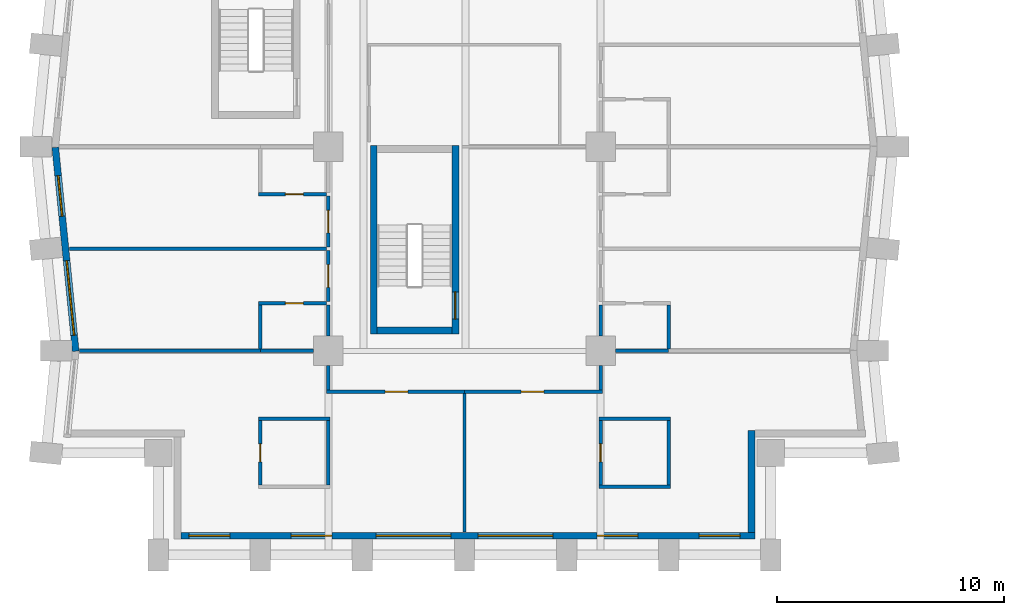
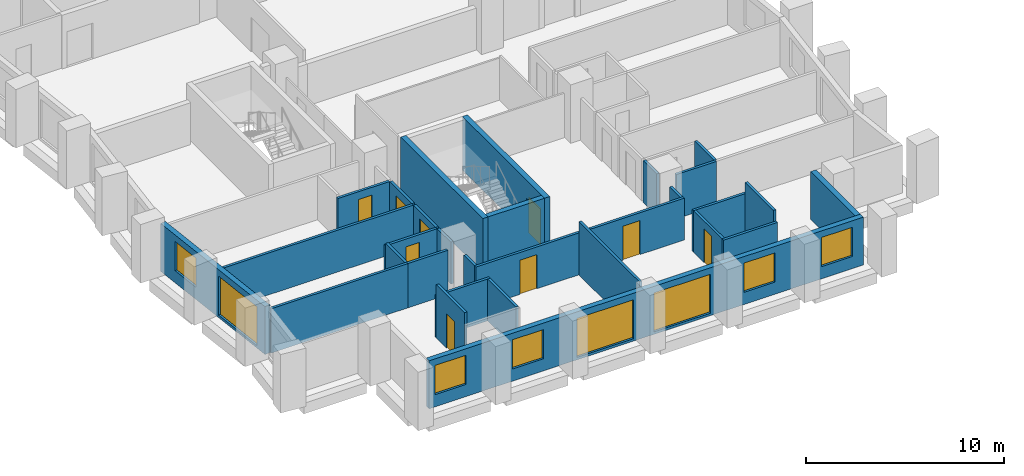
# One storey, part 3 of 13: 30 walls, 9 doors, 8 windows, 17 openings.
"""IFC4 building model written with IfcOpenShell, lengths in metres."""

from ifc_helpers import new_model, si_unit, direction, frame, frame_2d, origin, place, context, subcontext, project, spatial, rectangle, extrude, material, layer, layer_set, type_object, element, fill, save


model = new_model("IFC4")

# Units and contexts
model_context = context("Model", 3, precision=1e-05, world=origin(), true_north=direction((0.0, 1.0)))
body_context = subcontext(model_context, "Body", "Model", "MODEL_VIEW")
ifc_project = project(units=[si_unit("LENGTHUNIT", "METRE"), si_unit("AREAUNIT", "SQUARE_METRE"), si_unit("VOLUMEUNIT", "CUBIC_METRE"), si_unit("PLANEANGLEUNIT", "RADIAN"), si_unit("MASSUNIT", "GRAM", prefix="KILO")], contexts=[model_context])

# Site, building, storey
site_placement = place(None, origin())
site = spatial("IfcSite", under=ifc_project, at=site_placement, CompositionType="ELEMENT")
building_placement = place(site_placement, origin())
building = spatial("IfcBuilding", under=site, at=building_placement, Name="Brondeck Convention Tower", CompositionType="ELEMENT")
storey_placement = place(building_placement, frame((0.0, 0.0, 41.10009765625)))
storey = spatial("IfcBuildingStorey", under=building, at=storey_placement, Name="L07", CompositionType="ELEMENT", Elevation=41.10009765625)

# Wall, openings, windows
ifc_material_1 = material(Name="Precast concrete C50/60 bronze finish", Category="concrete")
ifc_layer_1 = layer(ifc_material_1, 0.070068359375, Name="Bronze precast facing")
ifc_material_2 = material(Name="Mineral wool")
ifc_layer_2 = layer(ifc_material_2, 0.159912109375, Name="Insulation")
ifc_material_3 = material(Name="Concrete C35/45", Category="concrete")
ifc_layer_3 = layer(ifc_material_3, 0.070068359375, Name="Backing")
ifc_layer_set_1 = layer_set([ifc_layer_1, ifc_layer_2, ifc_layer_3], Name="External infill wall, precast concrete C50/60 bronze facing")
wall_type_1 = type_object("IfcWallType", Name="External infill wall, precast concrete C50/60 bronze facing", PredefinedType="SOLIDWALL", material=ifc_layer_set_1)
wall_1_placement = place(storey_placement, frame((30.800048828125, 0.85009765625, 0.0), z_axis=(0.0, 0.0, 1.0), x_axis=(-1.0, 0.0, 0.0)))
wall_1 = element("IfcWall", 1, at=wall_1_placement, inside=storey, type_object=wall_type_1, Name="ENV-EW-L07-P0-B-S0-01", PredefinedType="SOLIDWALL", context=body_context, shape_type="SweptSolid", body=[
    extrude(rectangle(XDim=25.300048828125, YDim=0.300048828125, at=frame_2d((12.64990234375, 0.0))), origin(), (0.0, 0.0, 1.0), 2.949951171875),
])
opening_1_placement = place(wall_1_placement, frame((0.64990234375, 0.0, 0.75)))
opening_1 = element("IfcOpeningElement", 2, at=opening_1_placement, cuts=wall_1, Name="Opening W10", PredefinedType="OPENING", context=body_context, shape_type="SweptSolid", body=[
    extrude(rectangle(XDim=1.800048828125, YDim=1.800048828125, at=frame_2d((0.89990234375, 0.89990234375))), frame((0.0, 0.159912109375, 0.0), z_axis=(0.0, -1.0, 0.0), x_axis=(1.0, 0.0, 0.0)), (0.0, 0.0, 1.0), 0.320068359375),
])
opening_2_placement = place(wall_1_placement, frame((5.14990234375, 0.0, 0.75)))
opening_2 = element("IfcOpeningElement", 3, at=opening_2_placement, cuts=wall_1, Name="Opening W10", PredefinedType="OPENING", context=body_context, shape_type="SweptSolid", body=[
    extrude(rectangle(XDim=1.800048828125, YDim=1.800048828125, at=frame_2d((0.89990234375, 0.89990234375))), frame((0.0, 0.159912109375, 0.0), z_axis=(0.0, -1.0, 0.0), x_axis=(1.0, 0.0, 0.0)), (0.0, 0.0, 1.0), 0.320068359375),
])
opening_3_placement = place(wall_1_placement, frame((8.89990234375, 0.0, 0.14990234375)))
opening_3 = element("IfcOpeningElement", 4, at=opening_3_placement, cuts=wall_1, Name="Opening W9", PredefinedType="OPENING", context=body_context, shape_type="SweptSolid", body=[
    extrude(rectangle(XDim=3.300048828125, YDim=2.39990234375, at=frame_2d((1.64990234375, 1.199951171875))), frame((0.0, 0.159912109375, 0.0), z_axis=(0.0, -1.0, 0.0), x_axis=(1.0, 0.0, 0.0)), (0.0, 0.0, 1.0), 0.320068359375),
])
opening_4_placement = place(wall_1_placement, frame((13.39990234375, 0.0, 0.14990234375)))
opening_4 = element("IfcOpeningElement", 5, at=opening_4_placement, cuts=wall_1, Name="Opening W9", PredefinedType="OPENING", context=body_context, shape_type="SweptSolid", body=[
    extrude(rectangle(XDim=3.300048828125, YDim=2.39990234375, at=frame_2d((1.64990234375, 1.199951171875))), frame((0.0, 0.159912109375, 0.0), z_axis=(0.0, -1.0, 0.0), x_axis=(1.0, 0.0, 0.0)), (0.0, 0.0, 1.0), 0.320068359375),
])
opening_5_placement = place(wall_1_placement, frame((18.64990234375, 0.0, 0.75)))
opening_5 = element("IfcOpeningElement", 6, at=opening_5_placement, cuts=wall_1, Name="Opening W10", PredefinedType="OPENING", context=body_context, shape_type="SweptSolid", body=[
    extrude(rectangle(XDim=1.800048828125, YDim=1.800048828125, at=frame_2d((0.89990234375, 0.89990234375))), frame((0.0, 0.159912109375, 0.0), z_axis=(0.0, -1.0, 0.0), x_axis=(1.0, 0.0, 0.0)), (0.0, 0.0, 1.0), 0.320068359375),
])
opening_6_placement = place(wall_1_placement, frame((23.14990234375, 0.0, 0.75)))
opening_6 = element("IfcOpeningElement", 7, at=opening_6_placement, cuts=wall_1, Name="Opening W10", PredefinedType="OPENING", context=body_context, shape_type="SweptSolid", body=[
    extrude(rectangle(XDim=1.800048828125, YDim=1.800048828125, at=frame_2d((0.89990234375, 0.89990234375))), frame((0.0, 0.159912109375, 0.0), z_axis=(0.0, -1.0, 0.0), x_axis=(1.0, 0.0, 0.0)), (0.0, 0.0, 1.0), 0.320068359375),
])
ifc_material_4 = material(Name="Bronze tinted double glazing", Category="glass")
window_type_1 = type_object("IfcWindowType", Name="Glazed flute window, bronze tinted", PartitioningType="SINGLE_PANEL", PredefinedType="WINDOW", material=ifc_material_4)
window_1_placement = place(opening_3_placement, origin())
window_1 = element("IfcWindow", 8, at=window_1_placement, inside=storey, type_object=window_type_1, Name="ENV-WN-L07-P0-B-S0-04", OverallHeight=2.39990234375, OverallWidth=3.300048828125, PartitioningType="SINGLE_PANEL", PredefinedType="WINDOW", context=body_context, shape_type="SweptSolid", body=[
    extrude(rectangle(XDim=3.300048828125, YDim=2.39990234375, at=frame_2d((1.64990234375, 1.199951171875))), frame((0.0, 0.030029296875, 0.0), z_axis=(0.0, -1.0, 0.0), x_axis=(1.0, 0.0, 0.0)), (0.0, 0.0, 1.0), 0.06005859375),
])
fill(opening_3, window_1)
window_2_placement = place(opening_4_placement, origin())
window_2 = element("IfcWindow", 9, at=window_2_placement, inside=storey, type_object=window_type_1, Name="ENV-WN-L07-P0-B-S0-03", OverallHeight=2.39990234375, OverallWidth=3.300048828125, PartitioningType="SINGLE_PANEL", PredefinedType="WINDOW", context=body_context, shape_type="SweptSolid", body=[
    extrude(rectangle(XDim=3.300048828125, YDim=2.39990234375, at=frame_2d((1.64990234375, 1.199951171875))), frame((0.0, 0.030029296875, 0.0), z_axis=(0.0, -1.0, 0.0), x_axis=(1.0, 0.0, 0.0)), (0.0, 0.0, 1.0), 0.06005859375),
])
fill(opening_4, window_2)
window_type_2 = type_object("IfcWindowType", Name="Punched window, bronze tinted", PartitioningType="SINGLE_PANEL", PredefinedType="WINDOW", material=ifc_material_4)
window_3_placement = place(opening_1_placement, origin())
window_3 = element("IfcWindow", 10, at=window_3_placement, inside=storey, type_object=window_type_2, Name="ENV-WN-L07-P0-B-S0-06", OverallHeight=1.800048828125, OverallWidth=1.800048828125, PartitioningType="SINGLE_PANEL", PredefinedType="WINDOW", context=body_context, shape_type="SweptSolid", body=[
    extrude(rectangle(XDim=1.800048828125, YDim=1.800048828125, at=frame_2d((0.89990234375, 0.89990234375))), frame((0.0, 0.030029296875, 0.0), z_axis=(0.0, -1.0, 0.0), x_axis=(1.0, 0.0, 0.0)), (0.0, 0.0, 1.0), 0.06005859375),
])
fill(opening_1, window_3)
window_4_placement = place(opening_2_placement, origin())
window_4 = element("IfcWindow", 11, at=window_4_placement, inside=storey, type_object=window_type_2, Name="ENV-WN-L07-P0-B-S0-05", OverallHeight=1.800048828125, OverallWidth=1.800048828125, PartitioningType="SINGLE_PANEL", PredefinedType="WINDOW", context=body_context, shape_type="SweptSolid", body=[
    extrude(rectangle(XDim=1.800048828125, YDim=1.800048828125, at=frame_2d((0.89990234375, 0.89990234375))), frame((0.0, 0.030029296875, 0.0), z_axis=(0.0, -1.0, 0.0), x_axis=(1.0, 0.0, 0.0)), (0.0, 0.0, 1.0), 0.06005859375),
])
fill(opening_2, window_4)
window_5_placement = place(opening_5_placement, origin())
window_5 = element("IfcWindow", 12, at=window_5_placement, inside=storey, type_object=window_type_2, Name="ENV-WN-L07-P0-B-S0-02", OverallHeight=1.800048828125, OverallWidth=1.800048828125, PartitioningType="SINGLE_PANEL", PredefinedType="WINDOW", context=body_context, shape_type="SweptSolid", body=[
    extrude(rectangle(XDim=1.800048828125, YDim=1.800048828125, at=frame_2d((0.89990234375, 0.89990234375))), frame((0.0, 0.030029296875, 0.0), z_axis=(0.0, -1.0, 0.0), x_axis=(1.0, 0.0, 0.0)), (0.0, 0.0, 1.0), 0.06005859375),
])
fill(opening_5, window_5)
window_6_placement = place(opening_6_placement, origin())
window_6 = element("IfcWindow", 13, at=window_6_placement, inside=storey, type_object=window_type_2, Name="ENV-WN-L07-P0-B-S0-01", OverallHeight=1.800048828125, OverallWidth=1.800048828125, PartitioningType="SINGLE_PANEL", PredefinedType="WINDOW", context=body_context, shape_type="SweptSolid", body=[
    extrude(rectangle(XDim=1.800048828125, YDim=1.800048828125, at=frame_2d((0.89990234375, 0.89990234375))), frame((0.0, 0.030029296875, 0.0), z_axis=(0.0, -1.0, 0.0), x_axis=(1.0, 0.0, 0.0)), (0.0, 0.0, 1.0), 0.06005859375),
])
fill(opening_6, window_6)

# Wall
wall_2_placement = place(storey_placement, frame((30.64990234375, 5.5, 0.0), z_axis=(0.0, 0.0, 1.0), x_axis=(0.0, -1.0, 0.0)))
element("IfcWall", 14, at=wall_2_placement, inside=storey, type_object=wall_type_1, Name="ENV-EW-L07-P0-NC-SEB0-01", PredefinedType="SOLIDWALL", context=body_context, shape_type="SweptSolid", body=[
    extrude(rectangle(XDim=4.501953125, YDim=0.300048828125, at=frame_2d((2.2509765625, 0.0))), origin(), (0.0, 0.0, 1.0), 2.949951171875),
])

# Wall, openings, windows
wall_3_placement = place(storey_placement, frame((0.855712890625, 8.985107421875, 0.0), z_axis=(0.0, 0.0, 1.0), x_axis=(-0.099495688264, 0.995037993253, 0.0)))
wall_3 = element("IfcWall", 15, at=wall_3_placement, inside=storey, type_object=wall_type_1, Name="ENV-EW-L07-P0-B-W-10", PredefinedType="SOLIDWALL", context=body_context, shape_type="SweptSolid", body=[
    extrude(rectangle(XDim=9.030029296875, YDim=0.300048828125, at=frame_2d((4.51513671875, 0.0))), origin(), (0.0, 0.0, 1.0), 2.949951171875),
])
opening_7_placement = place(wall_3_placement, frame((0.711181640625, 0.0, 0.14990234375)))
opening_7 = element("IfcOpeningElement", 16, at=opening_7_placement, cuts=wall_3, Name="Opening W9", PredefinedType="OPENING", context=body_context, shape_type="SweptSolid", body=[
    extrude(rectangle(XDim=3.300048828125, YDim=2.39990234375, at=frame_2d((1.64990234375, 1.199951171875))), frame((0.0, 0.159912109375, 0.0), z_axis=(0.0, -1.0, 0.0), x_axis=(1.0, 0.0, 0.0)), (0.0, 0.0, 1.0), 0.320068359375),
])
opening_8_placement = place(wall_3_placement, frame((5.983642578125, 0.0, 0.75)))
opening_8 = element("IfcOpeningElement", 17, at=opening_8_placement, cuts=wall_3, Name="Opening W10", PredefinedType="OPENING", context=body_context, shape_type="SweptSolid", body=[
    extrude(rectangle(XDim=1.800048828125, YDim=1.800048828125, at=frame_2d((0.89990234375, 0.89990234375))), frame((0.0, 0.159912109375, 0.0), z_axis=(0.0, -1.0, 0.0), x_axis=(1.0, 0.0, 0.0)), (0.0, 0.0, 1.0), 0.320068359375),
])
window_7_placement = place(opening_7_placement, origin())
window_7 = element("IfcWindow", 18, at=window_7_placement, inside=storey, type_object=window_type_1, Name="ENV-WN-L07-P0-B-W-11", OverallHeight=2.39990234375, OverallWidth=3.300048828125, PartitioningType="SINGLE_PANEL", PredefinedType="WINDOW", context=body_context, shape_type="SweptSolid", body=[
    extrude(rectangle(XDim=3.300048828125, YDim=2.39990234375, at=frame_2d((1.64990234375, 1.199951171875))), frame((0.0, 0.030029296875, 0.0), z_axis=(0.0, -1.0, 0.0), x_axis=(1.0, 0.0, 0.0)), (0.0, 0.0, 1.0), 0.06005859375),
])
fill(opening_7, window_7)
window_8_placement = place(opening_8_placement, origin())
window_8 = element("IfcWindow", 19, at=window_8_placement, inside=storey, type_object=window_type_2, Name="ENV-WN-L07-P0-B-W-10", OverallHeight=1.800048828125, OverallWidth=1.800048828125, PartitioningType="SINGLE_PANEL", PredefinedType="WINDOW", context=body_context, shape_type="SweptSolid", body=[
    extrude(rectangle(XDim=1.800048828125, YDim=1.800048828125, at=frame_2d((0.89990234375, 0.89990234375))), frame((0.0, 0.030029296875, 0.0), z_axis=(0.0, -1.0, 0.0), x_axis=(1.0, 0.0, 0.0)), (0.0, 0.0, 1.0), 0.06005859375),
])
fill(opening_8, window_8)

# Walls
ifc_material_5 = material(Name="Double gypsum board acoustic wall")
ifc_layer_4 = layer(ifc_material_5, 0.14990234375)
ifc_layer_set_2 = layer_set([ifc_layer_4], Name="Guest room party wall 150")
wall_type_2 = type_object("IfcWallType", Name="Guest room party wall 150", PredefinedType="PARTITIONING", material=ifc_layer_set_2)
wall_4_placement = place(storey_placement, frame((23.925048828125, 3.0, 0.0), z_axis=(0.0, 0.0, 1.0), x_axis=(1.0, 0.0, 0.0)))
element("IfcWall", 20, at=wall_4_placement, inside=storey, type_object=wall_type_2, Name="FLR-L07-W002", PredefinedType="PARTITIONING", context=body_context, shape_type="SweptSolid", body=[
    extrude(rectangle(XDim=3.14990234375, YDim=0.14990234375, at=frame_2d((1.574951171875, 0.0))), origin(), (0.0, 0.0, 1.0), 2.579833984375),
])
wall_5_placement = place(storey_placement, frame((12.0, 3.074951171875, 0.0), z_axis=(0.0, 0.0, 1.0), x_axis=(0.0, 1.0, 0.0)))
element("IfcWall", 21, at=wall_5_placement, inside=storey, type_object=wall_type_2, Name="FLR-L07-W003", PredefinedType="PARTITIONING", context=body_context, shape_type="SweptSolid", body=[
    extrude(rectangle(XDim=2.85009765625, YDim=0.14990234375, at=frame_2d((1.425048828125, 0.0))), origin(), (0.0, 0.0, 1.0), 2.579833984375),
])
wall_6_placement = place(storey_placement, frame((27.0, 3.074951171875, 0.0), z_axis=(0.0, 0.0, 1.0), x_axis=(0.0, 1.0, 0.0)))
element("IfcWall", 22, at=wall_6_placement, inside=storey, type_object=wall_type_2, Name="FLR-L07-W004", PredefinedType="PARTITIONING", context=body_context, shape_type="SweptSolid", body=[
    extrude(rectangle(XDim=2.85009765625, YDim=0.14990234375, at=frame_2d((1.425048828125, 0.0))), origin(), (0.0, 0.0, 1.0), 3.27978515625),
])

# Wall, opening, door
wall_7_placement = place(storey_placement, frame((9.0, 5.925048828125, 0.0), z_axis=(0.0, 0.0, 1.0), x_axis=(0.0, -1.0, 0.0)))
wall_7 = element("IfcWall", 23, at=wall_7_placement, inside=storey, type_object=wall_type_2, Name="FLR-L07-W005", PredefinedType="PARTITIONING", context=body_context, shape_type="SweptSolid", body=[
    extrude(rectangle(XDim=2.85009765625, YDim=0.14990234375, at=frame_2d((1.425048828125, 0.0))), origin(), (0.0, 0.0, 1.0), 3.27978515625),
])
opening_9_placement = place(wall_7_placement, frame((1.02490234375, 0.0, 0.0)))
opening_9 = element("IfcOpeningElement", 24, at=opening_9_placement, cuts=wall_7, Name="Opening H1-043", PredefinedType="OPENING", context=body_context, shape_type="SweptSolid", body=[
    extrude(rectangle(XDim=0.800048828125, YDim=2.10009765625, at=frame_2d((0.39990234375, 1.050048828125))), frame((0.0, 0.0849609375, 0.0), z_axis=(0.0, -1.0, 0.0), x_axis=(1.0, 0.0, 0.0)), (0.0, 0.0, 1.0), 0.169921875),
])
ifc_material_6 = material(Name="Solid timber door leaf", Category="wood")
door_type_1 = type_object("IfcDoorType", Name="En-suite door 800", OperationType="NOTDEFINED", PredefinedType="DOOR", material=ifc_material_6)
door_1_placement = place(opening_9_placement, origin())
door_1 = element("IfcDoor", 25, at=door_1_placement, inside=storey, type_object=door_type_1, Name="Door H1-043", OperationType="SINGLE_SWING_RIGHT", OverallHeight=2.10009765625, OverallWidth=0.800048828125, PredefinedType="DOOR", context=body_context, shape_type="SweptSolid", body=[
    extrude(rectangle(XDim=0.800048828125, YDim=2.10009765625, at=frame_2d((0.39990234375, 1.050048828125))), frame((0.0, 0.02490234375, 0.0), z_axis=(0.0, -1.0, 0.0), x_axis=(1.0, 0.0, 0.0)), (0.0, 0.0, 1.0), 0.050048828125),
])
fill(opening_9, door_1)

wall_8_placement = place(storey_placement, frame((24.0, 5.925048828125, 0.0), z_axis=(0.0, 0.0, 1.0), x_axis=(0.0, -1.0, 0.0)))
wall_8 = element("IfcWall", 26, at=wall_8_placement, inside=storey, type_object=wall_type_2, Name="FLR-L07-W006", PredefinedType="PARTITIONING", context=body_context, shape_type="SweptSolid", body=[
    extrude(rectangle(XDim=2.85009765625, YDim=0.14990234375, at=frame_2d((1.425048828125, 0.0))), origin(), (0.0, 0.0, 1.0), 2.579833984375),
])
opening_10_placement = place(wall_8_placement, frame((1.02490234375, 0.0, 0.0)))
opening_10 = element("IfcOpeningElement", 27, at=opening_10_placement, cuts=wall_8, Name="Opening H1-045", PredefinedType="OPENING", context=body_context, shape_type="SweptSolid", body=[
    extrude(rectangle(XDim=0.800048828125, YDim=2.10009765625, at=frame_2d((0.39990234375, 1.050048828125))), frame((0.0, 0.0849609375, 0.0), z_axis=(0.0, -1.0, 0.0), x_axis=(1.0, 0.0, 0.0)), (0.0, 0.0, 1.0), 0.169921875),
])
door_2_placement = place(opening_10_placement, origin())
door_2 = element("IfcDoor", 28, at=door_2_placement, inside=storey, type_object=door_type_1, Name="Door H1-045", OperationType="SINGLE_SWING_RIGHT", OverallHeight=2.10009765625, OverallWidth=0.800048828125, PredefinedType="DOOR", context=body_context, shape_type="SweptSolid", body=[
    extrude(rectangle(XDim=0.800048828125, YDim=2.10009765625, at=frame_2d((0.39990234375, 1.050048828125))), frame((0.0, 0.02490234375, 0.0), z_axis=(0.0, -1.0, 0.0), x_axis=(1.0, 0.0, 0.0)), (0.0, 0.0, 1.0), 0.050048828125),
])
fill(opening_10, door_2)

# Walls
for number, where, z_axis, x_axis, name in (
    (29, (12.074951171875, 6.0, 0.0), (0.0, 0.0, 1.0), (-1.0, 0.0, 0.0), "FLR-L07-W007"),
    (30, (27.074951171875, 6.0, 0.0), (0.0, 0.0, 1.0), (-1.0, 0.0, 0.0), "FLR-L07-W008"),
):
    element("IfcWall", number, at=place(storey_placement, frame(where, z_axis=z_axis, x_axis=x_axis)), inside=storey, type_object=wall_type_2, Name=name, PredefinedType="PARTITIONING", context=body_context, shape_type="SweptSolid", body=[
        extrude(rectangle(XDim=3.14990234375, YDim=0.14990234375, at=frame_2d((1.574951171875, 0.0))), origin(), (0.0, 0.0, 1.0), 2.579833984375),
    ])
wall_9_placement = place(storey_placement, frame((18.0, 7.125, 0.0), z_axis=(0.0, 0.0, 1.0), x_axis=(0.0, -1.0, 0.0)))
element("IfcWall", 31, at=wall_9_placement, inside=storey, type_object=wall_type_2, Name="FLR-L07-W009", PredefinedType="PARTITIONING", context=body_context, shape_type="SweptSolid", body=[
    extrude(rectangle(XDim=6.10498046875, YDim=0.14990234375, at=frame_2d((3.052490234375, 0.0))), origin(), (0.0, 0.0, 1.0), 3.27978515625),
])

# Wall, opening, door
wall_10_placement = place(storey_placement, frame((18.0, 7.199951171875, 0.0), z_axis=(0.0, 0.0, 1.0), x_axis=(-1.0, 0.0, 0.0)))
wall_10 = element("IfcWall", 32, at=wall_10_placement, inside=storey, type_object=wall_type_2, Name="FLR-L07-W010", PredefinedType="PARTITIONING", context=body_context, shape_type="SweptSolid", body=[
    extrude(rectangle(XDim=6.074951171875, YDim=0.14990234375, at=frame_2d((3.03759765625, 0.0))), origin(), (0.0, 0.0, 1.0), 2.579833984375),
])
opening_11_placement = place(wall_10_placement, frame((2.5, 0.0, 0.0)))
opening_11 = element("IfcOpeningElement", 33, at=opening_11_placement, cuts=wall_10, Name="Opening H1-042", PredefinedType="OPENING", context=body_context, shape_type="SweptSolid", body=[
    extrude(rectangle(XDim=1.0, YDim=2.10009765625, at=frame_2d((0.5, 1.050048828125))), frame((0.0, 0.0849609375, 0.0), z_axis=(0.0, -1.0, 0.0), x_axis=(1.0, 0.0, 0.0)), (0.0, 0.0, 1.0), 0.169921875),
])
ifc_material_7 = material(Name="Solid timber fire door leaf", Category="wood")
door_type_2 = type_object("IfcDoorType", Name="Guest room door 1000", OperationType="NOTDEFINED", PredefinedType="DOOR", material=ifc_material_7)
door_3_placement = place(opening_11_placement, origin())
door_3 = element("IfcDoor", 34, at=door_3_placement, inside=storey, type_object=door_type_2, Name="Door H1-042", OperationType="SINGLE_SWING_LEFT", OverallHeight=2.10009765625, OverallWidth=1.0, PredefinedType="DOOR", context=body_context, shape_type="SweptSolid", body=[
    extrude(rectangle(XDim=1.0, YDim=2.10009765625, at=frame_2d((0.5, 1.050048828125))), frame((0.0, 0.02490234375, 0.0), z_axis=(0.0, -1.0, 0.0), x_axis=(1.0, 0.0, 0.0)), (0.0, 0.0, 1.0), 0.050048828125),
])
fill(opening_11, door_3)

wall_11_placement = place(storey_placement, frame((24.074951171875, 7.199951171875, 0.0), z_axis=(0.0, 0.0, 1.0), x_axis=(-1.0, 0.0, 0.0)))
wall_11 = element("IfcWall", 35, at=wall_11_placement, inside=storey, type_object=wall_type_2, Name="FLR-L07-W011", PredefinedType="PARTITIONING", context=body_context, shape_type="SweptSolid", body=[
    extrude(rectangle(XDim=6.074951171875, YDim=0.14990234375, at=frame_2d((3.03759765625, 0.0))), origin(), (0.0, 0.0, 1.0), 2.579833984375),
])
opening_12_placement = place(wall_11_placement, frame((2.574951171875, 0.0, 0.0)))
opening_12 = element("IfcOpeningElement", 36, at=opening_12_placement, cuts=wall_11, Name="Opening H1-044", PredefinedType="OPENING", context=body_context, shape_type="SweptSolid", body=[
    extrude(rectangle(XDim=1.0, YDim=2.10009765625, at=frame_2d((0.5, 1.050048828125))), frame((0.0, 0.0849609375, 0.0), z_axis=(0.0, -1.0, 0.0), x_axis=(1.0, 0.0, 0.0)), (0.0, 0.0, 1.0), 0.169921875),
])
door_4_placement = place(opening_12_placement, origin())
door_4 = element("IfcDoor", 37, at=door_4_placement, inside=storey, type_object=door_type_2, Name="Door H1-044", OperationType="SINGLE_SWING_LEFT", OverallHeight=2.10009765625, OverallWidth=1.0, PredefinedType="DOOR", context=body_context, shape_type="SweptSolid", body=[
    extrude(rectangle(XDim=1.0, YDim=2.10009765625, at=frame_2d((0.5, 1.050048828125))), frame((0.0, 0.02490234375, 0.0), z_axis=(0.0, -1.0, 0.0), x_axis=(1.0, 0.0, 0.0)), (0.0, 0.0, 1.0), 0.050048828125),
])
fill(opening_12, door_4)

# Walls
for number, where, z_axis, x_axis, name in (
    (38, (12.0, 7.27490234375, 0.0), (0.0, 0.0, 1.0), (0.0, 1.0, 0.0), "FLR-L07-W012"),
    (39, (24.0, 8.344970703125, 0.0), (0.0, 0.0, 1.0), (0.0, -1.0, 0.0), "FLR-L07-W013"),
):
    element("IfcWall", number, at=place(storey_placement, frame(where, z_axis=z_axis, x_axis=x_axis)), inside=storey, type_object=wall_type_2, Name=name, PredefinedType="PARTITIONING", context=body_context, shape_type="SweptSolid", body=[
        extrude(rectangle(XDim=1.070068359375, YDim=0.14990234375, at=frame_2d((0.53515625, 0.0))), origin(), (0.0, 0.0, 1.0), 2.579833984375),
    ])
wall_12_placement = place(storey_placement, frame((9.0, 9.0, 0.0), z_axis=(0.0, 0.0, 1.0), x_axis=(-1.0, 0.0, 0.0)))
element("IfcWall", 40, at=wall_12_placement, inside=storey, type_object=wall_type_2, Name="FLR-L07-W014", PredefinedType="PARTITIONING", context=body_context, shape_type="SweptSolid", body=[
    extrude(rectangle(XDim=7.97509765625, YDim=0.14990234375, at=frame_2d((3.987548828125, 0.0))), origin(), (0.0, 0.0, 1.0), 2.72998046875),
])
for number, where, z_axis, x_axis, name in (
    (41, (11.344970703125, 9.0, 0.0), (0.0, 0.0, 1.0), (-1.0, 0.0, 0.0), "FLR-L07-W015"),
    (42, (27.0, 9.0, 0.0), (0.0, 0.0, 1.0), (-1.0, 0.0, 0.0), "FLR-L07-W016"),
):
    element("IfcWall", number, at=place(storey_placement, frame(where, z_axis=z_axis, x_axis=x_axis)), inside=storey, type_object=wall_type_2, Name=name, PredefinedType="PARTITIONING", context=body_context, shape_type="SweptSolid", body=[
        extrude(rectangle(XDim=2.344970703125, YDim=0.14990234375, at=frame_2d((1.17236328125, 0.0))), origin(), (0.0, 0.0, 1.0), 2.72998046875),
    ])
wall_13_placement = place(storey_placement, frame((27.0, 9.074951171875, 0.0), z_axis=(0.0, 0.0, 1.0), x_axis=(0.0, 1.0, 0.0)))
element("IfcWall", 43, at=wall_13_placement, inside=storey, type_object=wall_type_2, Name="FLR-L07-W018", PredefinedType="PARTITIONING", context=body_context, shape_type="SweptSolid", body=[
    extrude(rectangle(XDim=1.949951171875, YDim=0.14990234375, at=frame_2d((0.97509765625, 0.0))), origin(), (0.0, 0.0, 1.0), 2.72998046875),
])
wall_14_placement = place(storey_placement, frame((12.0, 9.655029296875, 0.0), z_axis=(0.0, 0.0, 1.0), x_axis=(0.0, 1.0, 0.0)))
element("IfcWall", 44, at=wall_14_placement, inside=storey, type_object=wall_type_2, Name="FLR-L07-W019", PredefinedType="PARTITIONING", context=body_context, shape_type="SweptSolid", body=[
    extrude(rectangle(XDim=1.369873046875, YDim=0.14990234375, at=frame_2d((0.68505859375, 0.0))), origin(), (0.0, 0.0, 1.0), 2.579833984375),
])
wall_15_placement = place(storey_placement, frame((9.0, 11.02490234375, 0.0), z_axis=(0.0, 0.0, 1.0), x_axis=(0.0, -1.0, 0.0)))
element("IfcWall", 45, at=wall_15_placement, inside=storey, type_object=wall_type_2, Name="FLR-L07-W020", PredefinedType="PARTITIONING", context=body_context, shape_type="SweptSolid", body=[
    extrude(rectangle(XDim=1.949951171875, YDim=0.14990234375, at=frame_2d((0.97509765625, 0.0))), origin(), (0.0, 0.0, 1.0), 2.72998046875),
])
wall_16_placement = place(storey_placement, frame((24.0, 11.02490234375, 0.0), z_axis=(0.0, 0.0, 1.0), x_axis=(0.0, -1.0, 0.0)))
element("IfcWall", 46, at=wall_16_placement, inside=storey, type_object=wall_type_2, Name="FLR-L07-W021", PredefinedType="PARTITIONING", context=body_context, shape_type="SweptSolid", body=[
    extrude(rectangle(XDim=1.369873046875, YDim=0.14990234375, at=frame_2d((0.68505859375, 0.0))), origin(), (0.0, 0.0, 1.0), 2.579833984375),
])

# Wall, opening, door
wall_17_placement = place(storey_placement, frame((11.925048828125, 11.10009765625, 0.0), z_axis=(0.0, 0.0, 1.0), x_axis=(-1.0, 0.0, 0.0)))
wall_17 = element("IfcWall", 47, at=wall_17_placement, inside=storey, type_object=wall_type_2, Name="FLR-L07-W022", PredefinedType="PARTITIONING", context=body_context, shape_type="SweptSolid", body=[
    extrude(rectangle(XDim=3.0, YDim=0.14990234375, at=frame_2d((1.5, 0.0))), origin(), (0.0, 0.0, 1.0), 2.579833984375),
])
opening_13_placement = place(wall_17_placement, frame((1.02490234375, 0.0, 0.0)))
opening_13 = element("IfcOpeningElement", 48, at=opening_13_placement, cuts=wall_17, Name="Opening H1-034", PredefinedType="OPENING", context=body_context, shape_type="SweptSolid", body=[
    extrude(rectangle(XDim=0.800048828125, YDim=2.10009765625, at=frame_2d((0.39990234375, 1.050048828125))), frame((0.0, 0.0849609375, 0.0), z_axis=(0.0, -1.0, 0.0), x_axis=(1.0, 0.0, 0.0)), (0.0, 0.0, 1.0), 0.169921875),
])
door_5_placement = place(opening_13_placement, origin())
door_5 = element("IfcDoor", 49, at=door_5_placement, inside=storey, type_object=door_type_1, Name="Door H1-034", OperationType="SINGLE_SWING_LEFT", OverallHeight=2.10009765625, OverallWidth=0.800048828125, PredefinedType="DOOR", context=body_context, shape_type="SweptSolid", body=[
    extrude(rectangle(XDim=0.800048828125, YDim=2.10009765625, at=frame_2d((0.39990234375, 1.050048828125))), frame((0.0, 0.02490234375, 0.0), z_axis=(0.0, -1.0, 0.0), x_axis=(1.0, 0.0, 0.0)), (0.0, 0.0, 1.0), 0.050048828125),
])
fill(opening_13, door_5)

wall_18_placement = place(storey_placement, frame((12.0, 11.175048828125, 0.0), z_axis=(0.0, 0.0, 1.0), x_axis=(0.0, 1.0, 0.0)))
wall_18 = element("IfcWall", 50, at=wall_18_placement, inside=storey, type_object=wall_type_2, Name="FLR-L07-W024", PredefinedType="PARTITIONING", context=body_context, shape_type="SweptSolid", body=[
    extrude(rectangle(XDim=2.25, YDim=0.14990234375, at=frame_2d((1.125, 0.0))), origin(), (0.0, 0.0, 1.0), 2.579833984375),
])
opening_14_placement = place(wall_18_placement, frame((0.625, 0.0, 0.0)))
opening_14 = element("IfcOpeningElement", 51, at=opening_14_placement, cuts=wall_18, Name="Opening H1-033", PredefinedType="OPENING", context=body_context, shape_type="SweptSolid", body=[
    extrude(rectangle(XDim=1.0, YDim=2.10009765625, at=frame_2d((0.5, 1.050048828125))), frame((0.0, 0.0849609375, 0.0), z_axis=(0.0, -1.0, 0.0), x_axis=(1.0, 0.0, 0.0)), (0.0, 0.0, 1.0), 0.169921875),
])
door_6_placement = place(opening_14_placement, origin())
door_6 = element("IfcDoor", 52, at=door_6_placement, inside=storey, type_object=door_type_2, Name="Door H1-033", OperationType="SINGLE_SWING_LEFT", OverallHeight=2.10009765625, OverallWidth=1.0, PredefinedType="DOOR", context=body_context, shape_type="SweptSolid", body=[
    extrude(rectangle(XDim=1.0, YDim=2.10009765625, at=frame_2d((0.5, 1.050048828125))), frame((0.0, 0.02490234375, 0.0), z_axis=(0.0, -1.0, 0.0), x_axis=(1.0, 0.0, 0.0)), (0.0, 0.0, 1.0), 0.050048828125),
])
fill(opening_14, door_6)

# Wall
wall_19_placement = place(storey_placement, frame((11.925048828125, 13.5, 0.0), z_axis=(0.0, 0.0, 1.0), x_axis=(-1.0, 0.0, 0.0)))
element("IfcWall", 53, at=wall_19_placement, inside=storey, type_object=wall_type_2, Name="FLR-L07-W026", PredefinedType="PARTITIONING", context=body_context, shape_type="SweptSolid", body=[
    extrude(rectangle(XDim=11.35009765625, YDim=0.14990234375, at=frame_2d((5.675048828125, 0.0))), origin(), (0.0, 0.0, 1.0), 2.579833984375),
])

# Wall, opening, door
wall_20_placement = place(storey_placement, frame((12.0, 13.574951171875, 0.0), z_axis=(0.0, 0.0, 1.0), x_axis=(0.0, 1.0, 0.0)))
wall_20 = element("IfcWall", 54, at=wall_20_placement, inside=storey, type_object=wall_type_2, Name="FLR-L07-W028", PredefinedType="PARTITIONING", context=body_context, shape_type="SweptSolid", body=[
    extrude(rectangle(XDim=2.25, YDim=0.14990234375, at=frame_2d((1.125, 0.0))), origin(), (0.0, 0.0, 1.0), 2.579833984375),
])
opening_15_placement = place(wall_20_placement, frame((0.625, 0.0, 0.0)))
opening_15 = element("IfcOpeningElement", 55, at=opening_15_placement, cuts=wall_20, Name="Opening H1-031", PredefinedType="OPENING", context=body_context, shape_type="SweptSolid", body=[
    extrude(rectangle(XDim=1.0, YDim=2.10009765625, at=frame_2d((0.5, 1.050048828125))), frame((0.0, 0.0849609375, 0.0), z_axis=(0.0, -1.0, 0.0), x_axis=(1.0, 0.0, 0.0)), (0.0, 0.0, 1.0), 0.169921875),
])
door_7_placement = place(opening_15_placement, origin())
door_7 = element("IfcDoor", 56, at=door_7_placement, inside=storey, type_object=door_type_2, Name="Door H1-031", OperationType="SINGLE_SWING_LEFT", OverallHeight=2.10009765625, OverallWidth=1.0, PredefinedType="DOOR", context=body_context, shape_type="SweptSolid", body=[
    extrude(rectangle(XDim=1.0, YDim=2.10009765625, at=frame_2d((0.5, 1.050048828125))), frame((0.0, 0.02490234375, 0.0), z_axis=(0.0, -1.0, 0.0), x_axis=(1.0, 0.0, 0.0)), (0.0, 0.0, 1.0), 0.050048828125),
])
fill(opening_15, door_7)

wall_21_placement = place(storey_placement, frame((8.925048828125, 15.89990234375, 0.0), z_axis=(0.0, 0.0, 1.0), x_axis=(1.0, 0.0, 0.0)))
wall_21 = element("IfcWall", 57, at=wall_21_placement, inside=storey, type_object=wall_type_2, Name="FLR-L07-W030", PredefinedType="PARTITIONING", context=body_context, shape_type="SweptSolid", body=[
    extrude(rectangle(XDim=3.0, YDim=0.14990234375, at=frame_2d((1.5, 0.0))), origin(), (0.0, 0.0, 1.0), 2.579833984375),
])
opening_16_placement = place(wall_21_placement, frame((1.175048828125, 0.0, 0.0)))
opening_16 = element("IfcOpeningElement", 58, at=opening_16_placement, cuts=wall_21, Name="Opening H1-032", PredefinedType="OPENING", context=body_context, shape_type="SweptSolid", body=[
    extrude(rectangle(XDim=0.800048828125, YDim=2.10009765625, at=frame_2d((0.39990234375, 1.050048828125))), frame((0.0, 0.0849609375, 0.0), z_axis=(0.0, -1.0, 0.0), x_axis=(1.0, 0.0, 0.0)), (0.0, 0.0, 1.0), 0.169921875),
])
door_8_placement = place(opening_16_placement, origin())
door_8 = element("IfcDoor", 59, at=door_8_placement, inside=storey, type_object=door_type_1, Name="Door H1-032", OperationType="SINGLE_SWING_LEFT", OverallHeight=2.10009765625, OverallWidth=0.800048828125, PredefinedType="DOOR", context=body_context, shape_type="SweptSolid", body=[
    extrude(rectangle(XDim=0.800048828125, YDim=2.10009765625, at=frame_2d((0.39990234375, 1.050048828125))), frame((0.0, 0.02490234375, 0.0), z_axis=(0.0, -1.0, 0.0), x_axis=(1.0, 0.0, 0.0)), (0.0, 0.0, 1.0), 0.050048828125),
])
fill(opening_16, door_8)

# Walls
ifc_material_8 = material(Name="Concrete C80/95", Category="concrete")
ifc_layer_5 = layer(ifc_material_8, 0.300048828125)
ifc_layer_set_3 = layer_set([ifc_layer_5], Name="Stair enclosure wall 300 Concrete C80/95")
wall_type_3 = type_object("IfcWallType", Name="Stair enclosure wall 300 Concrete C80/95", PredefinedType="SHEAR", material=ifc_layer_set_3)
wall_22_placement = place(storey_placement, frame((14.14990234375, 9.89990234375, 0.0), z_axis=(0.0, 0.0, 1.0), x_axis=(1.0, 0.0, 0.0)))
element("IfcWall", 60, at=wall_22_placement, inside=storey, type_object=wall_type_3, Name="L07 core wall", PredefinedType="SHEAR", context=body_context, shape_type="SweptSolid", body=[
    extrude(rectangle(XDim=3.300048828125, YDim=0.300048828125, at=frame_2d((1.64990234375, 0.0))), origin(), (0.0, 0.0, 1.0), 3.2998046875),
])
wall_23_placement = place(storey_placement, frame((14.0, 9.75, 0.0), z_axis=(0.0, 0.0, 1.0), x_axis=(0.0, 1.0, 0.0)))
element("IfcWall", 61, at=wall_23_placement, inside=storey, type_object=wall_type_3, Name="L07 core wall", PredefinedType="SHEAR", context=body_context, shape_type="SweptSolid", body=[
    extrude(rectangle(XDim=8.300048828125, YDim=0.300048828125, at=frame_2d((4.14990234375, 0.0))), origin(), (0.0, 0.0, 1.0), 3.2998046875),
])

# Wall, opening, door
wall_24_placement = place(storey_placement, frame((17.60009765625, 9.75, 0.0), z_axis=(0.0, 0.0, 1.0), x_axis=(0.0, 1.0, 0.0)))
wall_24 = element("IfcWall", 62, at=wall_24_placement, inside=storey, type_object=wall_type_3, Name="L07 core wall", PredefinedType="SHEAR", context=body_context, shape_type="SweptSolid", body=[
    extrude(rectangle(XDim=8.300048828125, YDim=0.300048828125, at=frame_2d((4.14990234375, 0.0))), origin(), (0.0, 0.0, 1.0), 3.2998046875),
])
opening_17_placement = place(wall_24_placement, frame((0.64990234375, 0.0, 0.0)))
opening_17 = element("IfcOpeningElement", 63, at=opening_17_placement, cuts=wall_24, Name="Opening C08-20", PredefinedType="OPENING", context=body_context, shape_type="SweptSolid", body=[
    extrude(rectangle(XDim=1.199951171875, YDim=2.199951171875, at=frame_2d((0.60009765625, 1.10009765625))), frame((0.0, 0.159912109375, 0.0), z_axis=(0.0, -1.0, 0.0), x_axis=(1.0, 0.0, 0.0)), (0.0, 0.0, 1.0), 0.320068359375),
])
ifc_material_9 = material(Name="Steel fire door", Category="steel")
door_type_3 = type_object("IfcDoorType", Name="Stair door 1200x2200 EI 90", OperationType="NOTDEFINED", PredefinedType="DOOR", material=ifc_material_9)
door_9_placement = place(opening_17_placement, origin())
door_9 = element("IfcDoor", 64, at=door_9_placement, inside=storey, type_object=door_type_3, Name="L07 Stair door ST-BF", OperationType="SINGLE_SWING_LEFT", OverallHeight=2.199951171875, OverallWidth=1.199951171875, PredefinedType="DOOR", context=body_context, shape_type="SweptSolid", body=[
    extrude(rectangle(XDim=1.199951171875, YDim=2.199951171875, at=frame_2d((0.60009765625, 1.10009765625))), frame((0.0, 0.02490234375, 0.0), z_axis=(0.0, -1.0, 0.0), x_axis=(1.0, 0.0, 0.0)), (0.0, 0.0, 1.0), 0.050048828125),
])
fill(opening_17, door_9)

save(model, "model.ifc")
